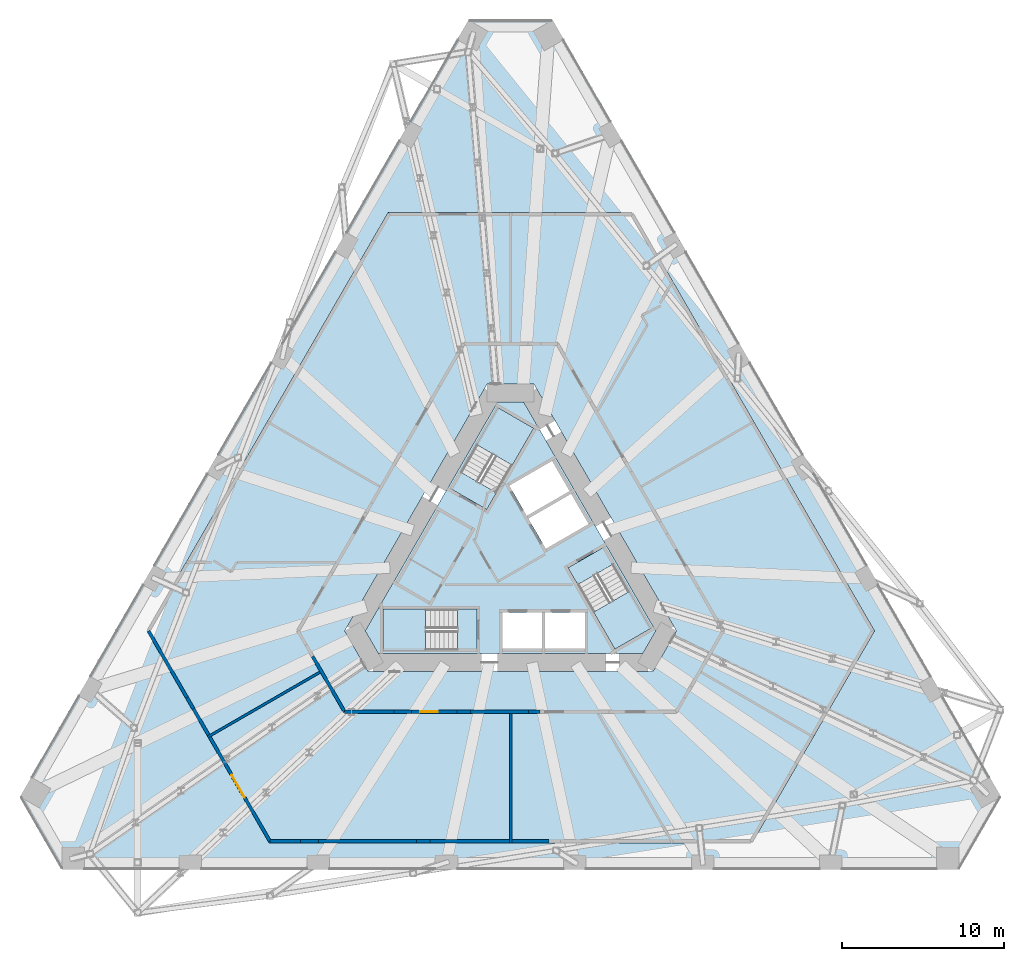
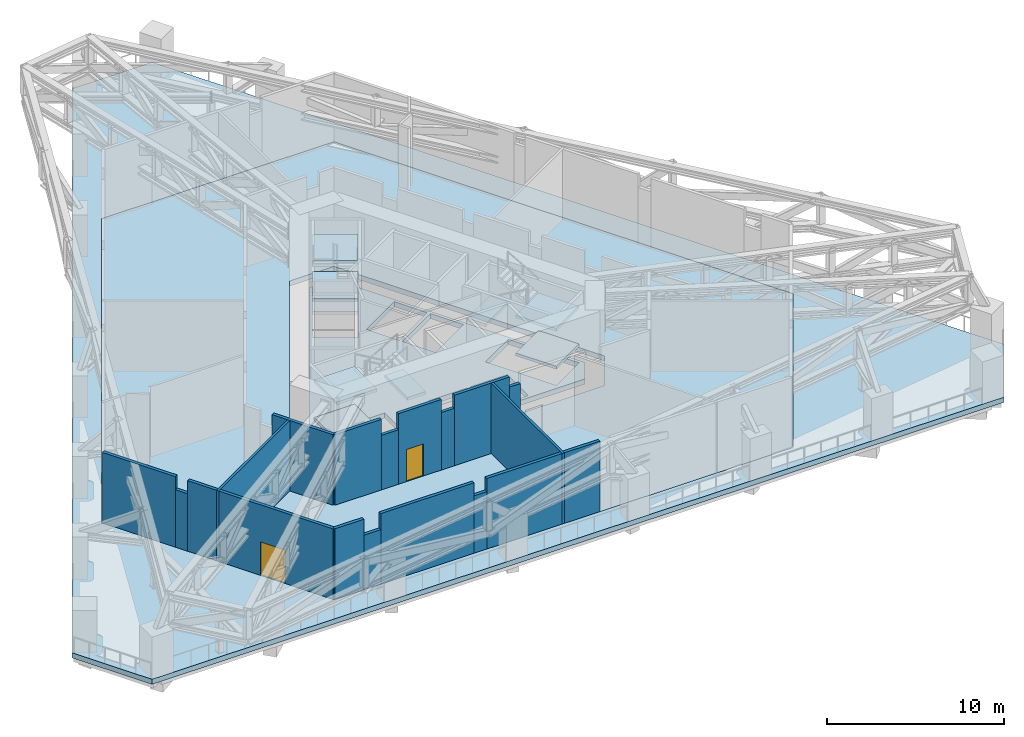
# One storey, part 10 of 20: 17 walls, 12 slabs, 2 doors, 2 openings, 3 elements without a shape of their own.
"""IFC4 building model written with IfcOpenShell, lengths in metres."""

from ifc_helpers import new_model, si_unit, direction, frame, frame_2d, origin, place, context, subcontext, project, spatial, polyline, rectangle, outline, extrude, material, layer, layer_set, type_object, element, fill, aggregate, save


model = new_model("IFC4")

# Units and contexts
model_context = context("Model", 3, precision=1e-05, world=origin(), true_north=direction((0.0, 1.0)))
body_context = subcontext(model_context, "Body", "Model", "MODEL_VIEW")
ifc_project = project(units=[si_unit("LENGTHUNIT", "METRE"), si_unit("AREAUNIT", "SQUARE_METRE"), si_unit("VOLUMEUNIT", "CUBIC_METRE"), si_unit("PLANEANGLEUNIT", "RADIAN"), si_unit("MASSUNIT", "GRAM", prefix="KILO")], contexts=[model_context])

# Site, building, storey
site_placement = place(None, origin())
site = spatial("IfcSite", under=ifc_project, at=site_placement, CompositionType="ELEMENT")
building_placement = place(site_placement, origin())
building = spatial("IfcBuilding", under=site, at=building_placement, Name="Tramontana Tower", CompositionType="ELEMENT")
storey_placement = place(building_placement, frame((0.0, 0.0, 46.0)))
storey = spatial("IfcBuildingStorey", under=building, at=storey_placement, Name="L09", CompositionType="ELEMENT", Elevation=46.0)

# Slabs
ifc_material_1 = material(Name="Concrete 40 MPa", Category="concrete")
ifc_layer_1 = layer(ifc_material_1, 0.35009765625)
ifc_layer_set_1 = layer_set([ifc_layer_1], Name="PT FLAT SLAB 350 40 MPa")
slab_type_1 = type_object("IfcSlabType", Name="PT FLAT SLAB 350 40 MPa", PredefinedType="FLOOR", material=ifc_layer_set_1)
slab_1_placement = place(storey_placement, frame((0.0, 0.0, -0.35009765625)))
element("IfcSlab", 1, at=slab_1_placement, inside=storey, type_object=slab_type_1, Name="Floor slab L09", PredefinedType="FLOOR", context=body_context, shape_type="SweptSolid", body=[
    extrude(outline(polyline([(-5.8154296875, -17.35009765625), (-14.924560546875, -17.35009765625), (-14.924560546875, -17.35009765625), (-14.924560546875, -17.35009765625), (-18.7060546875, -10.800048828125), (-22.48779296875, -4.25), (-22.48779296875, -4.25), (-22.48779296875, -4.25), (-8.537353515625, 19.91259765625), (-7.59228515625, 21.550048828125), (-7.563232421875, 21.60009765625), (-7.563232421875, 21.60009765625), (-7.563232421875, 21.60009765625), (7.563232421875, 21.60009765625), (7.563232421875, 21.60009765625), (7.563232421875, 21.60009765625), (17.933349609375, 3.638671875), (22.48779296875, -4.25), (22.48779296875, -4.25), (22.48779296875, -4.25), (18.74365234375, -10.735107421875), (15.44140625, -16.45458984375), (14.924560546875, -17.35009765625), (14.86669921875, -17.35009765625), (-5.8154296875, -17.35009765625)]), holes=[polyline([(-8.8046875, -6.75), (8.8046875, -6.75), (10.248046875, -4.25), (1.443359375, 11.0), (-1.443359375, 11.0), (-10.248046875, -4.25), (-8.8046875, -6.75)])]), origin(), (0.0, 0.0, 1.0), 0.35009765625),
])
slab_2_placement = place(storey_placement, frame((0.0, 0.0, -0.35009765625)))
element("IfcSlab", 2, at=slab_2_placement, inside=storey, type_object=slab_type_1, Name="Terrace slab L09", PredefinedType="FLOOR", context=body_context, shape_type="SweptSolid", body=[
    extrude(outline(polyline([(-27.712890625, -19.0), (-30.310791015625, -14.5), (-2.59814453125, 33.5), (2.59814453125, 33.5), (30.310791015625, -14.5), (27.712890625, -19.0), (-27.712890625, -19.0)]), holes=[polyline([(14.924560546875, -17.35009765625), (15.44140625, -16.45458984375), (18.74365234375, -10.735107421875), (22.48779296875, -4.25), (22.48779296875, -4.25), (22.48779296875, -4.25), (17.933349609375, 3.638671875), (7.563232421875, 21.60009765625), (7.563232421875, 21.60009765625), (7.563232421875, 21.60009765625), (-7.563232421875, 21.60009765625), (-7.563232421875, 21.60009765625), (-7.563232421875, 21.60009765625), (-7.59228515625, 21.550048828125), (-8.537353515625, 19.91259765625), (-22.48779296875, -4.25), (-22.48779296875, -4.25), (-22.48779296875, -4.25), (-18.7060546875, -10.800048828125), (-14.924560546875, -17.35009765625), (-14.924560546875, -17.35009765625), (-14.924560546875, -17.35009765625), (-5.8154296875, -17.35009765625), (14.86669921875, -17.35009765625), (14.924560546875, -17.35009765625)])]), origin(), (0.0, 0.0, 1.0), 0.35009765625),
])
slab_3_placement = place(storey_placement, frame((0.0, 0.0, -0.35009765625)))
element("IfcSlab", 3, at=slab_3_placement, inside=storey, type_object=slab_type_1, Name="Core floor slab L09", PredefinedType="FLOOR", context=body_context, shape_type="SweptSolid", body=[
    extrude(outline(polyline([(8.977783203125, -4.25), (8.16943359375, -5.64990234375), (-8.16943359375, -5.64990234375), (-8.977783203125, -4.25), (-0.808349609375, 9.89990234375), (0.808349609375, 9.89990234375), (8.977783203125, -4.25)]), holes=[polyline([(8.659912109375, -4.099365234375), (6.35986328125, -0.115478515625), (4.151611328125, -1.390625), (6.451416015625, -5.374267578125), (8.659912109375, -4.099365234375)]), polyline([(3.829833984375, 4.2666015625), (1.101806640625, 2.69140625), (2.177001953125, 0.82958984375), (4.90478515625, 2.404541015625), (3.829833984375, 4.2666015625)]), polyline([(4.590087890625, -3.10009765625), (2.139892578125, -3.10009765625), (2.139892578125, -5.449951171875), (4.590087890625, -5.449951171875), (4.590087890625, -3.10009765625)]), polyline([(2.65478515625, 6.3017578125), (-0.072998046875, 4.726806640625), (1.001953125, 2.86474609375), (3.729736328125, 4.439697265625), (2.65478515625, 6.3017578125)]), polyline([(1.93994140625, -5.449951171875), (1.93994140625, -3.10009765625), (-0.510009765625, -3.10009765625), (-0.510009765625, -5.449951171875), (1.93994140625, -5.449951171875)]), polyline([(-0.77978515625, 9.54931640625), (-3.079833984375, 5.565673828125), (-0.87158203125, 4.29052734375), (1.428466796875, 8.2744140625), (-0.77978515625, 9.54931640625)]), polyline([(-7.8798828125, -5.449951171875), (-3.280029296875, -5.449951171875), (-3.280029296875, -2.89990234375), (-7.8798828125, -2.89990234375), (-7.8798828125, -5.449951171875)])]), origin(), (0.0, 0.0, 1.0), 0.35009765625),
])

# Stair, slabs
ifc_material_2 = material(Name="Concrete 40 MPa", Category="concrete")
stair_type = type_object("IfcStairType", Name="EXIT STAIR 32 RISERS", PredefinedType="HALF_TURN_STAIR", material=ifc_material_2)
stair_1_placement = place(storey_placement, origin())
stair_1 = element("IfcStair", 4, at=stair_1_placement, inside=storey, type_object=stair_type, Name="L09 Exit stair ST1", PredefinedType="HALF_TURN_STAIR")
ifc_material_3 = material(Name="Concrete 40 MPa", Category="concrete")
ifc_layer_2 = layer(ifc_material_3, 0.199951171875)
ifc_layer_set_2 = layer_set([ifc_layer_2], Name="STAIR LANDING 200")
slab_type_2 = type_object("IfcSlabType", Name="STAIR LANDING 200", PredefinedType="LANDING", material=ifc_layer_set_2)
slab_4_placement = place(storey_placement, frame((0.0, 0.0, 1.10009765625)))
slab_4 = element("IfcSlab", 5, at=slab_4_placement, type_object=slab_type_2, Name="ST1 landing 1", PredefinedType="LANDING", context=body_context, shape_type="SweptSolid", body=[
    extrude(outline(polyline([(0.108642578125, 5.988037109375), (1.428466796875, 8.274169921875), (-0.77978515625, 9.54931640625), (-2.099853515625, 7.262939453125), (0.108642578125, 5.988037109375)])), origin(), (0.0, 0.0, 1.0), 0.199951171875),
])
slab_5_placement = place(storey_placement, frame((0.0, 0.0, 2.39990234375)))
slab_5 = element("IfcSlab", 6, at=slab_5_placement, type_object=slab_type_2, Name="ST1 landing 2", PredefinedType="LANDING", context=body_context, shape_type="SweptSolid", body=[
    extrude(outline(polyline([(-1.471435546875, 3.251220703125), (-0.87158203125, 4.29052734375), (-3.079833984375, 5.565673828125), (-3.679931640625, 4.5263671875), (-1.471435546875, 3.251220703125)])), origin(), (0.0, 0.0, 1.0), 0.2001953125),
])
slab_6_placement = place(storey_placement, frame((0.0, 0.0, 3.699951171875)))
slab_6 = element("IfcSlab", 7, at=slab_6_placement, type_object=slab_type_2, Name="ST1 landing 3", PredefinedType="LANDING", context=body_context, shape_type="SweptSolid", body=[
    extrude(outline(polyline([(0.108642578125, 5.988037109375), (1.428466796875, 8.274169921875), (-0.77978515625, 9.54931640625), (-2.099853515625, 7.262939453125), (0.108642578125, 5.988037109375)])), origin(), (0.0, 0.0, 1.0), 0.199951171875),
])
aggregate(stair_1, [slab_4, slab_5, slab_6])

stair_2_placement = place(storey_placement, origin())
stair_2 = element("IfcStair", 8, at=stair_2_placement, inside=storey, type_object=stair_type, Name="L09 Exit stair ST2", PredefinedType="HALF_TURN_STAIR")
slab_7_placement = place(storey_placement, frame((0.0, 0.0, 1.10009765625)))
slab_7 = element("IfcSlab", 9, at=slab_7_placement, type_object=slab_type_2, Name="ST2 landing 1", PredefinedType="LANDING", context=body_context, shape_type="SweptSolid", body=[
    extrude(outline(polyline([(-5.239990234375, -2.89990234375), (-7.8798828125, -2.89990234375), (-7.8798828125, -5.449951171875), (-5.239990234375, -5.449951171875), (-5.239990234375, -2.89990234375)])), origin(), (0.0, 0.0, 1.0), 0.199951171875),
])
slab_8_placement = place(storey_placement, frame((0.0, 0.0, 2.39990234375)))
slab_8 = element("IfcSlab", 10, at=slab_8_placement, type_object=slab_type_2, Name="ST2 landing 2", PredefinedType="LANDING", context=body_context, shape_type="SweptSolid", body=[
    extrude(outline(polyline([(-2.080078125, -2.89990234375), (-3.280029296875, -2.89990234375), (-3.280029296875, -5.449951171875), (-2.080078125, -5.449951171875), (-2.080078125, -2.89990234375)])), origin(), (0.0, 0.0, 1.0), 0.2001953125),
])
slab_9_placement = place(storey_placement, frame((0.0, 0.0, 3.699951171875)))
slab_9 = element("IfcSlab", 11, at=slab_9_placement, type_object=slab_type_2, Name="ST2 landing 3", PredefinedType="LANDING", context=body_context, shape_type="SweptSolid", body=[
    extrude(outline(polyline([(-5.239990234375, -2.89990234375), (-7.8798828125, -2.89990234375), (-7.8798828125, -5.449951171875), (-5.239990234375, -5.449951171875), (-5.239990234375, -2.89990234375)])), origin(), (0.0, 0.0, 1.0), 0.199951171875),
])
aggregate(stair_2, [slab_7, slab_8, slab_9])

stair_3_placement = place(storey_placement, origin())
stair_3 = element("IfcStair", 12, at=stair_3_placement, inside=storey, type_object=stair_type, Name="L09 Exit stair ST3", PredefinedType="HALF_TURN_STAIR")
slab_10_placement = place(storey_placement, frame((0.0, 0.0, 1.10009765625)))
slab_10 = element("IfcSlab", 13, at=slab_10_placement, type_object=slab_type_2, Name="ST3 landing 1", PredefinedType="LANDING", context=body_context, shape_type="SweptSolid", body=[
    extrude(outline(polyline([(5.131591796875, -3.087890625), (6.451416015625, -5.374267578125), (8.659912109375, -4.099365234375), (7.33984375, -1.81298828125), (5.131591796875, -3.087890625)])), origin(), (0.0, 0.0, 1.0), 0.199951171875),
])
slab_11_placement = place(storey_placement, frame((0.0, 0.0, 2.39990234375)))
slab_11 = element("IfcSlab", 14, at=slab_11_placement, type_object=slab_type_2, Name="ST3 landing 2", PredefinedType="LANDING", context=body_context, shape_type="SweptSolid", body=[
    extrude(outline(polyline([(3.551513671875, -0.351318359375), (4.1513671875, -1.390625), (6.35986328125, -0.115478515625), (5.759765625, 0.923583984375), (3.551513671875, -0.351318359375)])), origin(), (0.0, 0.0, 1.0), 0.2001953125),
])
slab_12_placement = place(storey_placement, frame((0.0, 0.0, 3.699951171875)))
slab_12 = element("IfcSlab", 15, at=slab_12_placement, type_object=slab_type_2, Name="ST3 landing 3", PredefinedType="LANDING", context=body_context, shape_type="SweptSolid", body=[
    extrude(outline(polyline([(5.131591796875, -3.087890625), (6.451416015625, -5.374267578125), (8.659912109375, -4.099365234375), (7.33984375, -1.81298828125), (5.131591796875, -3.087890625)])), origin(), (0.0, 0.0, 1.0), 0.199951171875),
])
aggregate(stair_3, [slab_10, slab_11, slab_12])

# Walls
ifc_material_4 = material(Name="Blockwork", Category="masonry")
ifc_layer_3 = layer(ifc_material_4, 0.199951171875)
ifc_layer_set_3 = layer_set([ifc_layer_3], Name="ENCLOSURE WALL 200")
wall_type_1 = type_object("IfcWallType", Name="ENCLOSURE WALL 200", PredefinedType="SOLIDWALL", material=ifc_layer_set_3)
wall_1_placement = place(storey_placement, frame((2.377685546875, -17.25, 0.0), z_axis=(0.0, 0.0, 1.0), x_axis=(-1.0, 0.0, 0.0)))
element("IfcWall", 16, at=wall_1_placement, inside=storey, type_object=wall_type_1, Name="Wall enc2-2", PredefinedType="SOLIDWALL", context=body_context, shape_type="SweptSolid", body=[
    extrude(rectangle(XDim=7.35498046875, YDim=0.199951171875, at=frame_2d((3.677490234375, 0.0))), origin(), (0.0, 0.0, 1.0), 4.85009765625),
])
wall_2_placement = place(storey_placement, frame((-4.977294921875, -17.25, 0.0), z_axis=(0.0, 0.0, 1.0), x_axis=(-1.0, 0.0, 0.0)))
element("IfcWall", 17, at=wall_2_placement, inside=storey, type_object=wall_type_1, Name="Wall enc2-3", PredefinedType="SOLIDWALL", context=body_context, shape_type="SweptSolid", body=[
    extrude(rectangle(XDim=0.838134765625, YDim=0.199951171875, at=frame_2d((0.4189453125, 0.0))), origin(), (0.0, 0.0, 1.0), 3.949951171875),
])
wall_3_placement = place(storey_placement, frame((-5.8154296875, -17.25, 0.0), z_axis=(0.0, 0.0, 1.0), x_axis=(-1.0, 0.0, 0.0)))
element("IfcWall", 18, at=wall_3_placement, inside=storey, type_object=wall_type_1, Name="Wall enc2-4", PredefinedType="SOLIDWALL", context=body_context, shape_type="SweptSolid", body=[
    extrude(rectangle(XDim=6.0517578125, YDim=0.199951171875, at=frame_2d((3.02587890625, 0.0))), origin(), (0.0, 0.0, 1.0), 4.85009765625),
])
wall_4_placement = place(storey_placement, frame((-11.8671875, -17.25, 0.0), z_axis=(0.0, 0.0, 1.0), x_axis=(-1.0, 0.0, 0.0)))
element("IfcWall", 19, at=wall_4_placement, inside=storey, type_object=wall_type_1, Name="Wall enc2-5", PredefinedType="SOLIDWALL", context=body_context, shape_type="SweptSolid", body=[
    extrude(rectangle(XDim=1.10888671875, YDim=0.199951171875, at=frame_2d((0.554443359375, 0.0))), origin(), (0.0, 0.0, 1.0), 3.75),
])
wall_5_placement = place(storey_placement, frame((-12.97607421875, -17.25, 0.0), z_axis=(0.0, 0.0, 1.0), x_axis=(-1.0, 0.0, 0.0)))
element("IfcWall", 20, at=wall_5_placement, inside=storey, type_object=wall_type_1, Name="Wall enc2-6", PredefinedType="SOLIDWALL", context=body_context, shape_type="SweptSolid", body=[
    extrude(rectangle(XDim=1.890625, YDim=0.199951171875, at=frame_2d((0.9453125, 0.0))), origin(), (0.0, 0.0, 1.0), 4.85009765625),
])

# Wall, opening, door
wall_6_placement = place(storey_placement, frame((-14.86669921875, -17.25, 0.0), z_axis=(0.0, 0.0, 1.0), x_axis=(-0.50000482836, 0.866022616111, 0.0)))
wall_6 = element("IfcWall", 21, at=wall_6_placement, inside=storey, type_object=wall_type_1, Name="Wall enc3-0", PredefinedType="SOLIDWALL", context=body_context, shape_type="SweptSolid", body=[
    extrude(rectangle(XDim=9.455078125, YDim=0.199951171875, at=frame_2d((4.7275390625, 0.0))), origin(), (0.0, 0.0, 1.0), 4.85009765625),
])
opening_1_placement = place(wall_6_placement, frame((3.127685546875, 0.0, 0.0)))
opening_1 = element("IfcOpeningElement", 22, at=opening_1_placement, cuts=wall_6, Name="Opening L09-11", PredefinedType="OPENING", context=body_context, shape_type="SweptSolid", body=[
    extrude(rectangle(XDim=1.60009765625, YDim=2.300048828125, at=frame_2d((0.800048828125, 1.14990234375))), frame((0.0, 0.10986328125, 0.0), z_axis=(0.0, -1.0, 0.0), x_axis=(1.0, 0.0, 0.0)), (0.0, 0.0, 1.0), 0.219970703125),
])
ifc_material_5 = material(Name="Painted timber", Category="wood")
door_type_1 = type_object("IfcDoorType", Name="DOOR WIDE 1600", OperationType="SINGLE_SWING_LEFT", PredefinedType="DOOR", material=ifc_material_5)
door_1_placement = place(opening_1_placement, origin())
door_1 = element("IfcDoor", 23, at=door_1_placement, inside=storey, type_object=door_type_1, Name="Door L09-11", OperationType="DOUBLE_DOOR_SINGLE_SWING", OverallHeight=2.300048828125, OverallWidth=1.60009765625, PredefinedType="DOOR", context=body_context, shape_type="SweptSolid", body=[
    extrude(rectangle(XDim=1.60009765625, YDim=2.300048828125, at=frame_2d((0.800048828125, 1.14990234375))), frame((0.0, 0.02490234375, 0.0), z_axis=(0.0, -1.0, 0.0), x_axis=(1.0, 0.0, 0.0)), (0.0, 0.0, 1.0), 0.050048828125),
])
fill(opening_1, door_1)

# Walls
wall_7_placement = place(storey_placement, frame((-19.59423828125, -9.061767578125, 0.0), z_axis=(0.0, 0.0, 1.0), x_axis=(-0.499923776705, 0.866069406852, 0.0)))
element("IfcWall", 24, at=wall_7_placement, inside=storey, type_object=wall_type_1, Name="Wall enc3-1", PredefinedType="SOLIDWALL", context=body_context, shape_type="SweptSolid", body=[
    extrude(rectangle(XDim=0.804931640625, YDim=0.199951171875, at=frame_2d((0.40234375, 0.0))), origin(), (0.0, 0.0, 1.0), 3.949951171875),
])
wall_8_placement = place(storey_placement, frame((-19.99658203125, -8.36474609375, 0.0), z_axis=(0.0, 0.0, 1.0), x_axis=(-0.500013047366, 0.866017870753, 0.0)))
element("IfcWall", 25, at=wall_8_placement, inside=storey, type_object=wall_type_1, Name="Wall enc3-2", PredefinedType="SOLIDWALL", context=body_context, shape_type="SweptSolid", body=[
    extrude(rectangle(XDim=4.751220703125, YDim=0.199951171875, at=frame_2d((2.37548828125, 0.0))), origin(), (0.0, 0.0, 1.0), 4.85009765625),
])
ifc_material_6 = material(Name="Blockwork", Category="masonry")
ifc_layer_4 = layer(ifc_material_6, 0.199951171875)
ifc_layer_set_4 = layer_set([ifc_layer_4], Name="ENTRY WALL 200")
wall_type_2 = type_object("IfcWallType", Name="ENTRY WALL 200", PredefinedType="SOLIDWALL", material=ifc_layer_set_4)
wall_9_placement = place(storey_placement, frame((1.8193359375, -9.25, 0.0), z_axis=(0.0, 0.0, 1.0), x_axis=(-1.0, 0.0, 0.0)))
element("IfcWall", 26, at=wall_9_placement, inside=storey, type_object=wall_type_2, Name="Wall ew2-3", PredefinedType="SOLIDWALL", context=body_context, shape_type="SweptSolid", body=[
    extrude(rectangle(XDim=0.708740234375, YDim=0.199951171875, at=frame_2d((0.3544921875, 0.0))), origin(), (0.0, 0.0, 1.0), 4.14990234375),
])
wall_10_placement = place(storey_placement, frame((1.110595703125, -9.25, 0.0), z_axis=(0.0, 0.0, 1.0), x_axis=(-1.0, 0.0, 0.0)))
element("IfcWall", 27, at=wall_10_placement, inside=storey, type_object=wall_type_2, Name="Wall ew2-4", PredefinedType="SOLIDWALL", context=body_context, shape_type="SweptSolid", body=[
    extrude(rectangle(XDim=3.585205078125, YDim=0.199951171875, at=frame_2d((1.79248046875, 0.0))), origin(), (0.0, 0.0, 1.0), 4.85009765625),
])
wall_11_placement = place(storey_placement, frame((-2.474609375, -9.25, 0.0), z_axis=(0.0, 0.0, 1.0), x_axis=(-1.0, 0.0, 0.0)))
element("IfcWall", 28, at=wall_11_placement, inside=storey, type_object=wall_type_2, Name="Wall ew2-5", PredefinedType="SOLIDWALL", context=body_context, shape_type="SweptSolid", body=[
    extrude(rectangle(XDim=0.838134765625, YDim=0.199951171875, at=frame_2d((0.4189453125, 0.0))), origin(), (0.0, 0.0, 1.0), 3.949951171875),
])

# Wall, opening, door
wall_12_placement = place(storey_placement, frame((-3.312744140625, -9.25, 0.0), z_axis=(0.0, 0.0, 1.0), x_axis=(-1.0, 0.0, 0.0)))
wall_12 = element("IfcWall", 29, at=wall_12_placement, inside=storey, type_object=wall_type_2, Name="Wall ew2-6", PredefinedType="SOLIDWALL", context=body_context, shape_type="SweptSolid", body=[
    extrude(rectangle(XDim=2.793701171875, YDim=0.199951171875, at=frame_2d((1.39697265625, 0.0))), origin(), (0.0, 0.0, 1.0), 4.85009765625),
])
opening_2_placement = place(wall_12_placement, frame((1.18017578125, 0.0, 0.0)))
opening_2 = element("IfcOpeningElement", 30, at=opening_2_placement, cuts=wall_12, Name="Opening L09-05", PredefinedType="OPENING", context=body_context, shape_type="SweptSolid", body=[
    extrude(rectangle(XDim=1.10009765625, YDim=2.199951171875, at=frame_2d((0.550048828125, 1.10009765625))), frame((0.0, 0.10986328125, 0.0), z_axis=(0.0, -1.0, 0.0), x_axis=(1.0, 0.0, 0.0)), (0.0, 0.0, 1.0), 0.219970703125),
])
ifc_material_7 = material(Name="Painted steel", Category="steel")
door_type_2 = type_object("IfcDoorType", Name="PLANT DOOR 1100", OperationType="SINGLE_SWING_LEFT", PredefinedType="DOOR", material=ifc_material_7)
door_2_placement = place(opening_2_placement, origin())
door_2 = element("IfcDoor", 31, at=door_2_placement, inside=storey, type_object=door_type_2, Name="Door L09-05", OperationType="SINGLE_SWING_LEFT", OverallHeight=2.199951171875, OverallWidth=1.10009765625, PredefinedType="DOOR", context=body_context, shape_type="SweptSolid", body=[
    extrude(rectangle(XDim=1.10009765625, YDim=2.199951171875, at=frame_2d((0.550048828125, 1.10009765625))), frame((0.0, 0.02490234375, 0.0), z_axis=(0.0, -1.0, 0.0), x_axis=(1.0, 0.0, 0.0)), (0.0, 0.0, 1.0), 0.050048828125),
])
fill(opening_2, door_2)

# Walls
wall_13_placement = place(storey_placement, frame((-6.1064453125, -9.25, 0.0), z_axis=(0.0, 0.0, 1.0), x_axis=(-1.0, 0.0, 0.0)))
element("IfcWall", 32, at=wall_13_placement, inside=storey, type_object=wall_type_2, Name="Wall ew2-7", PredefinedType="SOLIDWALL", context=body_context, shape_type="SweptSolid", body=[
    extrude(rectangle(XDim=1.10888671875, YDim=0.199951171875, at=frame_2d((0.554443359375, 0.0))), origin(), (0.0, 0.0, 1.0), 3.75),
])
wall_14_placement = place(storey_placement, frame((-7.21533203125, -9.25, 0.0), z_axis=(0.0, 0.0, 1.0), x_axis=(-1.0, 0.0, 0.0)))
element("IfcWall", 33, at=wall_14_placement, inside=storey, type_object=wall_type_2, Name="Wall ew2-8", PredefinedType="SOLIDWALL", context=body_context, shape_type="SweptSolid", body=[
    extrude(rectangle(XDim=3.03271484375, YDim=0.199951171875, at=frame_2d((1.516357421875, 0.0))), origin(), (0.0, 0.0, 1.0), 4.85009765625),
])
wall_15_placement = place(storey_placement, frame((-10.248046875, -9.25, 0.0), z_axis=(0.0, 0.0, 1.0), x_axis=(-0.499983883921, 0.866034708207, 0.0)))
element("IfcWall", 34, at=wall_15_placement, inside=storey, type_object=wall_type_2, Name="Wall ew3-0", PredefinedType="SOLIDWALL", context=body_context, shape_type="SweptSolid", body=[
    extrude(rectangle(XDim=3.961181640625, YDim=0.199951171875, at=frame_2d((1.98046875, 0.0))), origin(), (0.0, 0.0, 1.0), 4.85009765625),
])
ifc_material_8 = material(Name="Gypsum board partition")
ifc_layer_5 = layer(ifc_material_8, 0.14990234375)
ifc_layer_set_5 = layer_set([ifc_layer_5], Name="PARTITION 150")
wall_type_3 = type_object("IfcWallType", Name="PARTITION 150", PredefinedType="PARTITIONING", material=ifc_layer_set_5)
for number, where, z_axis, x_axis, name in (
    (35, (-11.778076171875, -6.800048828125, 0.0), (0.0, 0.0, 1.0), (-0.866018381195, -0.500012163284, 0.0), "Wall fw-pw03"),
    (36, (0.0, -9.35009765625, 0.0), (0.0, 0.0, 1.0), (0.0, -1.0, 0.0), "Wall fw-pw06"),
):
    element("IfcWall", number, at=place(storey_placement, frame(where, z_axis=z_axis, x_axis=x_axis)), inside=storey, type_object=wall_type_3, Name=name, PredefinedType="PARTITIONING", context=body_context, shape_type="SweptSolid", body=[
        extrude(rectangle(XDim=7.999755859375, YDim=0.14990234375, at=frame_2d((4.0, 0.0))), origin(), (0.0, 0.0, 1.0), 4.85009765625),
    ])

save(model, "model.ifc")
